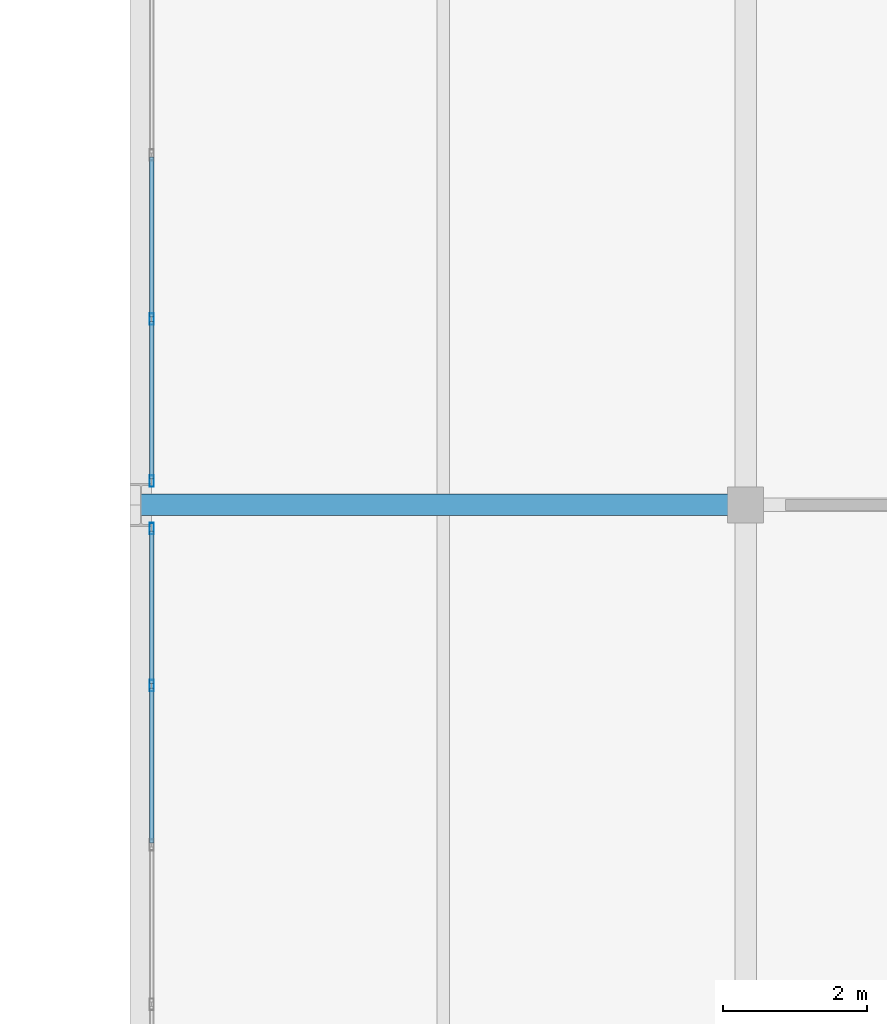
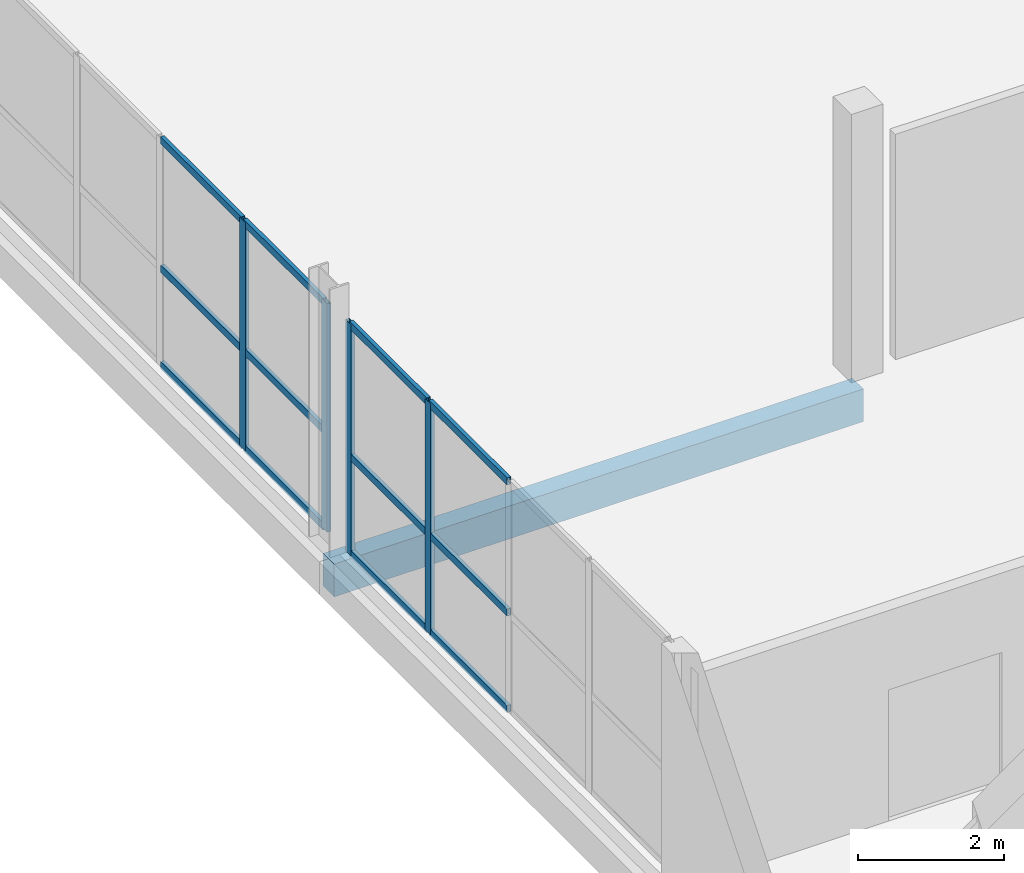
# One storey, part 77 of 109: 16 members, 1 beam, 2 elements without a shape of their own.
"""IFC4 building model written with IfcOpenShell, lengths in metres."""

from ifc_helpers import new_model, si_unit, direction, frame, origin, origin_2d, place, context, subcontext, project, spatial, rectangle, hollow_rectangle, extrude, material, material_profile, profile_set, type_object, element, aggregate, save


model = new_model("IFC4")

# Units and contexts
model_context = context("Model", 3, precision=1e-05, world=origin(), true_north=direction((0.0, 1.0)))
body_context = subcontext(model_context, "Body", "Model", "MODEL_VIEW")
ifc_project = project(units=[si_unit("LENGTHUNIT", "METRE"), si_unit("AREAUNIT", "SQUARE_METRE"), si_unit("VOLUMEUNIT", "CUBIC_METRE"), si_unit("PLANEANGLEUNIT", "RADIAN"), si_unit("MASSUNIT", "GRAM", prefix="KILO")], contexts=[model_context])

# Site, building, storey
site_placement = place(None, origin())
site = spatial("IfcSite", under=ifc_project, at=site_placement, CompositionType="ELEMENT")
building_placement = place(site_placement, origin())
building = spatial("IfcBuilding", under=site, at=building_placement, Name="Veltarok Museum of Natural Sciences", CompositionType="ELEMENT")
storey_placement = place(building_placement, frame((0.0, 0.0, 17.39990234375)))
storey = spatial("IfcBuildingStorey", under=building, at=storey_placement, Name="L03", CompositionType="ELEMENT", Elevation=17.39990234375)

# Curtain wall, members
ifc_material_1 = material(Name="Low-iron triple insulated glass", Category="glass")
curtain_wall_type_1 = type_object("IfcCurtainWallType", Name="Curtain Wall System CW-V5CW-L03-0-885x388 (CW-V5CW L03 885x388cm)", PredefinedType="NOTDEFINED", material=ifc_material_1)
curtain_wall_1_placement = place(storey_placement, origin())
curtain_wall_1 = element("IfcCurtainWall", 1, at=curtain_wall_1_placement, inside=storey, type_object=curtain_wall_type_1, Name="Curtain Wall CW-V5CW-L03-0-885x388 CW-0180", PredefinedType="NOTDEFINED")
ifc_material_2 = material(Name="Thermally broken anodised aluminium", Category="aluminium")
ifc_material_profile_1 = material_profile(ifc_material_2, hollow_rectangle(XDim=0.06005859375, YDim=0.1201171875, WallThickness=0.0048828125, at=origin_2d()), Name="CW TRANSOM 60x120x5")
ifc_profile_set_1 = profile_set([ifc_material_profile_1], Name="Thermally broken anodised aluminium")
member_type_1 = type_object("IfcMemberType", Name="Curtain Wall Horizontal Transom 60x120x5", PredefinedType="USERDEFINED", material=ifc_profile_set_1)
member_1_placement = place(storey_placement, frame((132.550048828125, 43.304931640625, 0.028076171875), z_axis=(0.0, 1.0, 0.0), x_axis=(-1.0, 0.0, 0.0)))
member_1 = element("IfcMember", 2, at=member_1_placement, type_object=member_type_1, Name="CW-V5CW-L03-0-885x388 transom 3.1", ObjectType="TRANSOM", PredefinedType="USERDEFINED", context=body_context, shape_type="SweptSolid", body=[
    extrude(hollow_rectangle(XDim=0.06005859375, YDim=0.1201171875, WallThickness=0.0048828125, at=origin_2d()), origin(), (0.0, 0.0, 1.0), 2.152587890625),
])
member_2_placement = place(storey_placement, frame((132.550048828125, 43.304931640625, 1.648193359375), z_axis=(0.0, 1.0, 0.0), x_axis=(-1.0, 0.0, 0.0)))
member_2 = element("IfcMember", 3, at=member_2_placement, type_object=member_type_1, Name="CW-V5CW-L03-0-885x388 transom 3.2", ObjectType="TRANSOM", PredefinedType="USERDEFINED", context=body_context, shape_type="SweptSolid", body=[
    extrude(hollow_rectangle(XDim=0.06005859375, YDim=0.1201171875, WallThickness=0.0048828125, at=origin_2d()), origin(), (0.0, 0.0, 1.0), 2.152587890625),
])
member_3_placement = place(storey_placement, frame((132.550048828125, 43.304931640625, 3.85009765625), z_axis=(0.0, 1.0, 0.0), x_axis=(-1.0, 0.0, 0.0)))
member_3 = element("IfcMember", 4, at=member_3_placement, type_object=member_type_1, Name="CW-V5CW-L03-0-885x388 transom 3.3", ObjectType="TRANSOM", PredefinedType="USERDEFINED", context=body_context, shape_type="SweptSolid", body=[
    extrude(hollow_rectangle(XDim=0.06005859375, YDim=0.1201171875, WallThickness=0.0048828125, at=origin_2d()), origin(), (0.0, 0.0, 1.0), 2.152587890625),
])
member_4_placement = place(storey_placement, frame((132.550048828125, 45.517578125, 0.028076171875), z_axis=(0.0, 1.0, 0.0), x_axis=(-1.0, 0.0, 0.0)))
member_4 = element("IfcMember", 5, at=member_4_placement, type_object=member_type_1, Name="CW-V5CW-L03-0-885x388 transom 4.1", ObjectType="TRANSOM", PredefinedType="USERDEFINED", context=body_context, shape_type="SweptSolid", body=[
    extrude(hollow_rectangle(XDim=0.06005859375, YDim=0.1201171875, WallThickness=0.0048828125, at=origin_2d()), origin(), (0.0, 0.0, 1.0), 2.122314453125),
])
member_5_placement = place(storey_placement, frame((132.550048828125, 45.517578125, 1.648193359375), z_axis=(0.0, 1.0, 0.0), x_axis=(-1.0, 0.0, 0.0)))
member_5 = element("IfcMember", 6, at=member_5_placement, type_object=member_type_1, Name="CW-V5CW-L03-0-885x388 transom 4.2", ObjectType="TRANSOM", PredefinedType="USERDEFINED", context=body_context, shape_type="SweptSolid", body=[
    extrude(hollow_rectangle(XDim=0.06005859375, YDim=0.1201171875, WallThickness=0.0048828125, at=origin_2d()), origin(), (0.0, 0.0, 1.0), 2.122314453125),
])
member_6_placement = place(storey_placement, frame((132.550048828125, 45.517578125, 3.85009765625), z_axis=(0.0, 1.0, 0.0), x_axis=(-1.0, 0.0, 0.0)))
member_6 = element("IfcMember", 7, at=member_6_placement, type_object=member_type_1, Name="CW-V5CW-L03-0-885x388 transom 4.3", ObjectType="TRANSOM", PredefinedType="USERDEFINED", context=body_context, shape_type="SweptSolid", body=[
    extrude(hollow_rectangle(XDim=0.06005859375, YDim=0.1201171875, WallThickness=0.0048828125, at=origin_2d()), origin(), (0.0, 0.0, 1.0), 2.122314453125),
])

curtain_wall_type_2 = type_object("IfcCurtainWallType", Name="Curtain Wall System CW-V5CW-L03-1-1140x383 (CW-V5CW L03 1140x383cm)", PredefinedType="NOTDEFINED", material=ifc_material_1)
curtain_wall_2_placement = place(storey_placement, origin())
curtain_wall_2 = element("IfcCurtainWall", 8, at=curtain_wall_2_placement, inside=storey, type_object=curtain_wall_type_2, Name="Curtain Wall CW-V5CW-L03-1-1140x383 CW-0181", PredefinedType="NOTDEFINED")
member_7_placement = place(storey_placement, frame((132.550048828125, 48.360107421875, 0.028076171875), z_axis=(0.0, 1.0, 0.0), x_axis=(-1.0, 0.0, 0.0)))
member_7 = element("IfcMember", 9, at=member_7_placement, type_object=member_type_1, Name="CW-V5CW-L03-1-1140x383 transom 1.1", ObjectType="TRANSOM", PredefinedType="USERDEFINED", context=body_context, shape_type="SweptSolid", body=[
    extrude(hollow_rectangle(XDim=0.06005859375, YDim=0.1201171875, WallThickness=0.0048828125, at=origin_2d()), origin(), (0.0, 0.0, 1.0), 2.18994140625),
])
member_8_placement = place(storey_placement, frame((132.550048828125, 48.360107421875, 1.648193359375), z_axis=(0.0, 1.0, 0.0), x_axis=(-1.0, 0.0, 0.0)))
member_8 = element("IfcMember", 10, at=member_8_placement, type_object=member_type_1, Name="CW-V5CW-L03-1-1140x383 transom 1.2", ObjectType="TRANSOM", PredefinedType="USERDEFINED", context=body_context, shape_type="SweptSolid", body=[
    extrude(hollow_rectangle(XDim=0.06005859375, YDim=0.1201171875, WallThickness=0.0048828125, at=origin_2d()), origin(), (0.0, 0.0, 1.0), 2.18994140625),
])
member_9_placement = place(storey_placement, frame((132.550048828125, 48.360107421875, 3.800048828125), z_axis=(0.0, 1.0, 0.0), x_axis=(-1.0, 0.0, 0.0)))
member_9 = element("IfcMember", 11, at=member_9_placement, type_object=member_type_1, Name="CW-V5CW-L03-1-1140x383 transom 1.3", ObjectType="TRANSOM", PredefinedType="USERDEFINED", context=body_context, shape_type="SweptSolid", body=[
    extrude(hollow_rectangle(XDim=0.06005859375, YDim=0.1201171875, WallThickness=0.0048828125, at=origin_2d()), origin(), (0.0, 0.0, 1.0), 2.18994140625),
])
member_10_placement = place(storey_placement, frame((132.550048828125, 50.610107421875, 0.028076171875), z_axis=(0.0, 1.0, 0.0), x_axis=(-1.0, 0.0, 0.0)))
member_10 = element("IfcMember", 12, at=member_10_placement, type_object=member_type_1, Name="CW-V5CW-L03-1-1140x383 transom 2.1", ObjectType="TRANSOM", PredefinedType="USERDEFINED", context=body_context, shape_type="SweptSolid", body=[
    extrude(hollow_rectangle(XDim=0.06005859375, YDim=0.1201171875, WallThickness=0.0048828125, at=origin_2d()), origin(), (0.0, 0.0, 1.0), 2.219970703125),
])
member_11_placement = place(storey_placement, frame((132.550048828125, 50.610107421875, 1.648193359375), z_axis=(0.0, 1.0, 0.0), x_axis=(-1.0, 0.0, 0.0)))
member_11 = element("IfcMember", 13, at=member_11_placement, type_object=member_type_1, Name="CW-V5CW-L03-1-1140x383 transom 2.2", ObjectType="TRANSOM", PredefinedType="USERDEFINED", context=body_context, shape_type="SweptSolid", body=[
    extrude(hollow_rectangle(XDim=0.06005859375, YDim=0.1201171875, WallThickness=0.0048828125, at=origin_2d()), origin(), (0.0, 0.0, 1.0), 2.219970703125),
])
member_12_placement = place(storey_placement, frame((132.550048828125, 50.610107421875, 3.800048828125), z_axis=(0.0, 1.0, 0.0), x_axis=(-1.0, 0.0, 0.0)))
member_12 = element("IfcMember", 14, at=member_12_placement, type_object=member_type_1, Name="CW-V5CW-L03-1-1140x383 transom 2.3", ObjectType="TRANSOM", PredefinedType="USERDEFINED", context=body_context, shape_type="SweptSolid", body=[
    extrude(hollow_rectangle(XDim=0.06005859375, YDim=0.1201171875, WallThickness=0.0048828125, at=origin_2d()), origin(), (0.0, 0.0, 1.0), 2.219970703125),
])

# Member
ifc_material_profile_2 = material_profile(ifc_material_2, hollow_rectangle(XDim=0.06005859375, YDim=0.159912109375, WallThickness=0.0048828125, at=origin_2d()), Name="CW MULLION 60x160x5")
ifc_profile_set_2 = profile_set([ifc_material_profile_2], Name="Thermally broken anodised aluminium")
member_type_2 = type_object("IfcMemberType", Name="Curtain Wall Vertical Mullion 60x160x5", PredefinedType="MULLION", material=ifc_profile_set_2)
member_13_placement = place(storey_placement, frame((132.550048828125, 45.487548828125, -0.001953125), z_axis=(0.0, 0.0, 1.0), x_axis=(-1.0, 0.0, 0.0)))
member_13 = element("IfcMember", 15, at=member_13_placement, type_object=member_type_2, Name="CW-V5CW-L03-0-885x388 mullion 4", PredefinedType="MULLION", context=body_context, shape_type="SweptSolid", body=[
    extrude(hollow_rectangle(XDim=0.06005859375, YDim=0.159912109375, WallThickness=0.0048828125, at=origin_2d()), origin(), (0.0, 0.0, 1.0), 3.882080078125),
])

member_14_placement = place(storey_placement, frame((132.550048828125, 47.669921875, -0.001953125), z_axis=(0.0, 0.0, 1.0), x_axis=(-1.0, 0.0, 0.0)))
member_14 = element("IfcMember", 16, at=member_14_placement, type_object=member_type_2, Name="CW-V5CW-L03-0-885x388 mullion 5", PredefinedType="MULLION", context=body_context, shape_type="SweptSolid", body=[
    extrude(hollow_rectangle(XDim=0.06005859375, YDim=0.159912109375, WallThickness=0.0048828125, at=origin_2d()), origin(), (0.0, 0.0, 1.0), 3.882080078125),
])

aggregate(curtain_wall_1, [member_13, member_14, member_1, member_2, member_3, member_4, member_5, member_6])

member_15_placement = place(storey_placement, frame((132.550048828125, 48.330078125, -0.001953125), z_axis=(0.0, 0.0, 1.0), x_axis=(-1.0, 0.0, 0.0)))
member_15 = element("IfcMember", 17, at=member_15_placement, type_object=member_type_2, Name="CW-V5CW-L03-1-1140x383 mullion 1", PredefinedType="MULLION", context=body_context, shape_type="SweptSolid", body=[
    extrude(hollow_rectangle(XDim=0.06005859375, YDim=0.159912109375, WallThickness=0.0048828125, at=origin_2d()), origin(), (0.0, 0.0, 1.0), 3.83203125),
])

member_16_placement = place(storey_placement, frame((132.550048828125, 50.580078125, -0.001953125), z_axis=(0.0, 0.0, 1.0), x_axis=(-1.0, 0.0, 0.0)))
member_16 = element("IfcMember", 18, at=member_16_placement, type_object=member_type_2, Name="CW-V5CW-L03-1-1140x383 mullion 2", PredefinedType="MULLION", context=body_context, shape_type="SweptSolid", body=[
    extrude(hollow_rectangle(XDim=0.06005859375, YDim=0.159912109375, WallThickness=0.0048828125, at=origin_2d()), origin(), (0.0, 0.0, 1.0), 3.83203125),
])

aggregate(curtain_wall_2, [member_15, member_16, member_7, member_8, member_9, member_10, member_11, member_12])

# Beam
ifc_material_3 = material(Name="Precast concrete C40/50", Category="concrete")
ifc_material_profile_3 = material_profile(ifc_material_3, rectangle(XDim=0.300048828125, YDim=0.550048828125, at=origin_2d()), Name="RC 300x550")
ifc_profile_set_3 = profile_set([ifc_material_profile_3], Name="Precast concrete C40/50")
beam_type = type_object("IfcBeamType", Name="East Wing Precast Spandrel RC 300x550", PredefinedType="SPANDREL", material=ifc_profile_set_3)
beam_placement = place(storey_placement, frame((132.39990234375, 48.0, -0.52490234375), z_axis=(1.0, 0.0, 0.0), x_axis=(0.0, 1.0, 0.0)))
element("IfcBeam", 19, at=beam_placement, inside=storey, type_object=beam_type, Name="Beam BM-SP02 L03 16-17/F", PredefinedType="SPANDREL", context=body_context, shape_type="SweptSolid", body=[
    extrude(rectangle(XDim=0.300048828125, YDim=0.550048828125, at=origin_2d()), origin(), (0.0, 0.0, 1.0), 8.400146484375),
])

save(model, "model.ifc")
